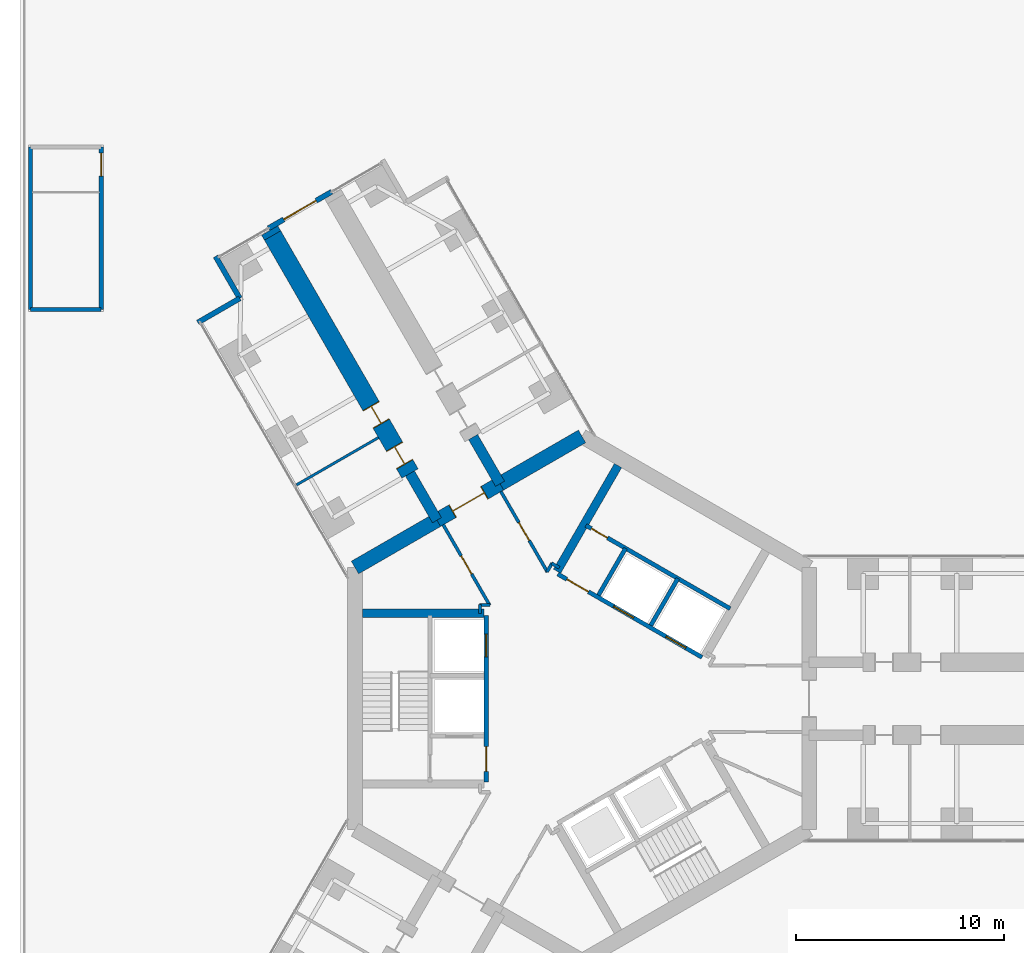
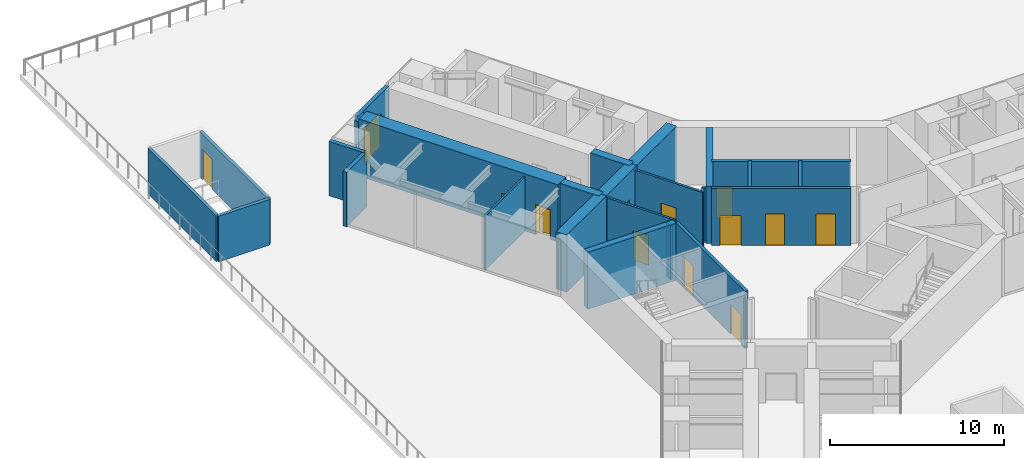
# One storey, part 14 of 23: 27 walls, 13 doors, 13 openings.
"""IFC4 building model written with IfcOpenShell, lengths in metres."""

from ifc_helpers import new_model, si_unit, direction, frame, frame_2d, origin, place, context, subcontext, project, spatial, rectangle, extrude, material, layer, layer_set, type_object, element, fill, save


model = new_model("IFC4")

# Units and contexts
model_context = context("Model", 3, precision=1e-05, world=origin(), true_north=direction((0.0, 1.0)))
body_context = subcontext(model_context, "Body", "Model", "MODEL_VIEW")
ifc_project = project(units=[si_unit("LENGTHUNIT", "METRE"), si_unit("AREAUNIT", "SQUARE_METRE"), si_unit("VOLUMEUNIT", "CUBIC_METRE"), si_unit("PLANEANGLEUNIT", "RADIAN"), si_unit("MASSUNIT", "GRAM", prefix="KILO")], contexts=[model_context])

# Site, building, storey
site_placement = place(None, origin())
site = spatial("IfcSite", under=ifc_project, at=site_placement, CompositionType="ELEMENT")
building_placement = place(site_placement, origin())
building = spatial("IfcBuilding", under=site, at=building_placement, Name="Upepo Twin Towers", CompositionType="ELEMENT")
storey_placement = place(building_placement, frame((0.0, 0.0, 20.5)))
storey = spatial("IfcBuildingStorey", under=building, at=storey_placement, Name="L04", CompositionType="ELEMENT", Elevation=20.5)

# Walls
ifc_material_1 = material(Name="Dense concrete blockwork", Category="masonry")
ifc_layer_1 = layer(ifc_material_1, 0.89990234375)
ifc_layer_set_1 = layer_set([ifc_layer_1], Name="Buttress closer 900, blockwork with fire-stopping to the curtain wall")
wall_type_1 = type_object("IfcWallType", Name="Buttress closer 900, blockwork with fire-stopping to the curtain wall", PredefinedType="PARTITIONING", material=ifc_layer_set_1)
wall_1_placement = place(storey_placement, frame((-14.865478515625, 22.247802734375, 0.0), z_axis=(0.0, 0.0, 1.0), x_axis=(-0.499671230855, 0.86621513555, 0.0)))
element("IfcWall", 1, at=wall_1_placement, inside=storey, type_object=wall_type_1, Name="T1 L04 wing B buttress closer L", PredefinedType="PARTITIONING", context=body_context, shape_type="SweptSolid", body=[
    extrude(rectangle(XDim=0.275146484375, YDim=0.89990234375, at=frame_2d((0.1376953125, 0.0))), origin(), (0.0, 0.0, 1.0), 3.800048828125),
])
ifc_material_2 = material(Name="Concrete C60/75", Category="concrete")
ifc_layer_2 = layer(ifc_material_2, 0.5)
ifc_layer_set_2 = layer_set([ifc_layer_2], Name="Concrete C60/75")
wall_type_2 = type_object("IfcWallType", Name="Buttress wall 500 RC", PredefinedType="SHEAR", material=ifc_layer_set_2)
for number, where, z_axis, x_axis, name in (
    (2, (-6.9697265625, 8.57177734375, 0.0), (0.0, 0.0, 1.0), (-0.499988811324, 0.866031863473, 0.0), "T1 wing B buttress wall L"),
    (3, (-3.938720703125, 10.32177734375, 0.0), (0.0, 0.0, 1.0), (-0.499918158782, 0.866072649678, 0.0), "T1 wing B buttress wall R"),
):
    element("IfcWall", number, at=place(storey_placement, frame(where, z_axis=z_axis, x_axis=x_axis)), inside=storey, type_object=wall_type_2, Name=name, PredefinedType="SHEAR", context=body_context, shape_type="SweptSolid", body=[
        extrude(rectangle(XDim=2.591796875, YDim=0.5, at=frame_2d((1.2958984375, 0.0))), origin(), (0.0, 0.0, 1.0), 4.0),
    ])

# Wall, openings, doors
ifc_material_3 = material(Name="Concrete C60/75", Category="concrete")
ifc_layer_3 = layer(ifc_material_3, 0.89990234375)
ifc_layer_set_3 = layer_set([ifc_layer_3], Name="Concrete C60/75")
wall_type_3 = type_object("IfcWallType", Name="Buttress wall 900 RC", PredefinedType="SHEAR", material=ifc_layer_set_3)
wall_2_placement = place(storey_placement, frame((-8.265625, 10.81640625, 0.0), z_axis=(0.0, 0.0, 1.0), x_axis=(-0.499996231654, 0.866027579429, 0.0)))
wall_2 = element("IfcWall", 4, at=wall_2_placement, inside=storey, type_object=wall_type_3, Name="T1 wing B buttress wall L part 2", PredefinedType="SHEAR", context=body_context, shape_type="SweptSolid", body=[
    extrude(rectangle(XDim=13.19970703125, YDim=0.89990234375, at=frame_2d((6.599853515625, 0.0))), origin(), (0.0, 0.0, 1.0), 4.0),
])
opening_1_placement = place(wall_2_placement, frame((0.5, 0.0, 0.0)))
opening_1 = element("IfcOpeningElement", 5, at=opening_1_placement, cuts=wall_2, Name="Opening D15", PredefinedType="OPENING", context=body_context, shape_type="SweptSolid", body=[
    extrude(rectangle(XDim=1.0, YDim=2.10009765625, at=frame_2d((0.5, 1.050048828125))), frame((0.0, 0.4599609375, 0.0), z_axis=(0.0, -1.0, 0.0), x_axis=(1.0, 0.0, 0.0)), (0.0, 0.0, 1.0), 0.919921875),
])
opening_2_placement = place(wall_2_placement, frame((2.75, 0.0, 0.0)))
opening_2 = element("IfcOpeningElement", 6, at=opening_2_placement, cuts=wall_2, Name="Opening D15", PredefinedType="OPENING", context=body_context, shape_type="SweptSolid", body=[
    extrude(rectangle(XDim=1.0, YDim=2.10009765625, at=frame_2d((0.5, 1.050048828125))), frame((0.0, 0.4599609375, 0.0), z_axis=(0.0, -1.0, 0.0), x_axis=(1.0, 0.0, 0.0)), (0.0, 0.0, 1.0), 0.919921875),
])
ifc_material_4 = material(Name="Timber doorset", Category="wood")
door_type_1 = type_object("IfcDoorType", Name="Glazed door 1000 FD30", OperationType="SINGLE_SWING_LEFT", PredefinedType="DOOR", material=ifc_material_4)
door_1_placement = place(opening_1_placement, origin())
door_1 = element("IfcDoor", 7, at=door_1_placement, inside=storey, type_object=door_type_1, Name="T1 L04 seminar room door", OperationType="SINGLE_SWING_LEFT", OverallHeight=2.10009765625, OverallWidth=1.0, PredefinedType="DOOR", context=body_context, shape_type="SweptSolid", body=[
    extrude(rectangle(XDim=0.92, YDim=2.06009765625, at=frame_2d((0.5, 1.030029296875))), frame((0.0, 0.02490234375, 0.0), z_axis=(0.0, -1.0, 0.0), x_axis=(1.0, 0.0, 0.0)), (0.0, 0.0, 1.0), 0.050048828125),
    extrude(rectangle(XDim=0.04, YDim=2.10009765625, at=frame_2d((0.02001953125, 1.050048828125))), frame((0.0, 0.44970703125, 0.0), z_axis=(0.0, -1.0, 0.0), x_axis=(1.0, 0.0, 0.0)), (0.0, 0.0, 1.0), 0.8994140625),
    extrude(rectangle(XDim=0.04, YDim=2.10009765625, at=frame_2d((0.97998046875, 1.050048828125))), frame((0.0, 0.44970703125, 0.0), z_axis=(0.0, -1.0, 0.0), x_axis=(1.0, 0.0, 0.0)), (0.0, 0.0, 1.0), 0.8994140625),
    extrude(rectangle(XDim=0.92, YDim=0.04, at=frame_2d((0.5, 2.080078125))), frame((0.0, 0.44970703125, 0.0), z_axis=(0.0, -1.0, 0.0), x_axis=(1.0, 0.0, 0.0)), (0.0, 0.0, 1.0), 0.8994140625),
])
fill(opening_1, door_1)
door_2_placement = place(opening_2_placement, origin())
door_2 = element("IfcDoor", 8, at=door_2_placement, inside=storey, type_object=door_type_1, Name="T1 L04 student sky lounge door", OperationType="SINGLE_SWING_LEFT", OverallHeight=2.10009765625, OverallWidth=1.0, PredefinedType="DOOR", context=body_context, shape_type="SweptSolid", body=[
    extrude(rectangle(XDim=0.92, YDim=2.06009765625, at=frame_2d((0.5, 1.030029296875))), frame((0.0, 0.02490234375, 0.0), z_axis=(0.0, -1.0, 0.0), x_axis=(1.0, 0.0, 0.0)), (0.0, 0.0, 1.0), 0.050048828125),
    extrude(rectangle(XDim=0.04, YDim=2.10009765625, at=frame_2d((0.02001953125, 1.050048828125))), frame((0.0, 0.44970703125, 0.0), z_axis=(0.0, -1.0, 0.0), x_axis=(1.0, 0.0, 0.0)), (0.0, 0.0, 1.0), 0.8994140625),
    extrude(rectangle(XDim=0.04, YDim=2.10009765625, at=frame_2d((0.97998046875, 1.050048828125))), frame((0.0, 0.44970703125, 0.0), z_axis=(0.0, -1.0, 0.0), x_axis=(1.0, 0.0, 0.0)), (0.0, 0.0, 1.0), 0.8994140625),
    extrude(rectangle(XDim=0.92, YDim=0.04, at=frame_2d((0.5, 2.080078125))), frame((0.0, 0.44970703125, 0.0), z_axis=(0.0, -1.0, 0.0), x_axis=(1.0, 0.0, 0.0)), (0.0, 0.0, 1.0), 0.8994140625),
])
fill(opening_2, door_2)

# Wall
ifc_material_5 = material(Name="Concrete C60/75", Category="concrete")
ifc_layer_4 = layer(ifc_material_5, 0.699951171875)
ifc_layer_set_4 = layer_set([ifc_layer_4], Name="Concrete C60/75")
wall_type_4 = type_object("IfcWallType", Name="Core wall 700 RC", PredefinedType="SHEAR", material=ifc_layer_set_4)
wall_3_placement = place(storey_placement, frame((0.0, 12.595947265625, 0.0), z_axis=(0.0, 0.0, 1.0), x_axis=(-0.866011268655, -0.500024481964, 0.0)))
element("IfcWall", 9, at=wall_3_placement, inside=storey, type_object=wall_type_4, Name="T1 core wall 120 R", PredefinedType="SHEAR", context=body_context, shape_type="SweptSolid", body=[
    extrude(rectangle(XDim=4.548095703125, YDim=0.699951171875, at=frame_2d((2.27392578125, 0.0))), origin(), (0.0, 0.0, 1.0), 4.0),
])

# Wall, opening, door
wall_4_placement = place(storey_placement, frame((-3.938720703125, 10.32177734375, 0.0), z_axis=(0.0, 0.0, 1.0), x_axis=(-0.866019471182, -0.500010275428, 0.0)))
wall_4 = element("IfcWall", 10, at=wall_4_placement, inside=storey, type_object=wall_type_4, Name="T1 core wall 120", PredefinedType="SHEAR", context=body_context, shape_type="SweptSolid", body=[
    extrude(rectangle(XDim=3.5, YDim=0.699951171875, at=frame_2d((1.75, 0.0))), origin(), (0.0, 0.0, 1.0), 4.0),
])
opening_3_placement = place(wall_4_placement, frame((0.85009765625, 0.0, 0.0)))
opening_3 = element("IfcOpeningElement", 11, at=opening_3_placement, cuts=wall_4, Name="Opening D2", PredefinedType="OPENING", context=body_context, shape_type="SweptSolid", body=[
    extrude(rectangle(XDim=1.800048828125, YDim=2.10009765625, at=frame_2d((0.89990234375, 1.050048828125))), frame((0.0, 0.35986328125, 0.0), z_axis=(0.0, -1.0, 0.0), x_axis=(1.0, 0.0, 0.0)), (0.0, 0.0, 1.0), 0.719970703125),
])
ifc_material_6 = material(Name="Timber doorset", Category="wood")
door_type_2 = type_object("IfcDoorType", Name="Corridor double door 1800 FD60", OperationType="DOUBLE_DOOR_DOUBLE_SWING", PredefinedType="DOOR", material=ifc_material_6)
door_3_placement = place(opening_3_placement, origin())
door_3 = element("IfcDoor", 12, at=door_3_placement, inside=storey, type_object=door_type_2, Name="T1 L04 wing B corridor door", OperationType="DOUBLE_DOOR_DOUBLE_SWING", OverallHeight=2.10009765625, OverallWidth=1.800048828125, PredefinedType="DOOR", context=body_context, shape_type="SweptSolid", body=[
    extrude(rectangle(XDim=1.720048828125, YDim=2.06009765625, at=frame_2d((0.89990234375, 1.030029296875))), frame((0.0, 0.02490234375, 0.0), z_axis=(0.0, -1.0, 0.0), x_axis=(1.0, 0.0, 0.0)), (0.0, 0.0, 1.0), 0.050048828125),
    extrude(rectangle(XDim=0.04, YDim=2.10009765625, at=frame_2d((0.02001953125, 1.050048828125))), frame((0.0, 0.349609375, 0.0), z_axis=(0.0, -1.0, 0.0), x_axis=(1.0, 0.0, 0.0)), (0.0, 0.0, 1.0), 0.699462890625),
    extrude(rectangle(XDim=0.04, YDim=2.10009765625, at=frame_2d((1.780029296875, 1.050048828125))), frame((0.0, 0.349609375, 0.0), z_axis=(0.0, -1.0, 0.0), x_axis=(1.0, 0.0, 0.0)), (0.0, 0.0, 1.0), 0.699462890625),
    extrude(rectangle(XDim=1.720048828125, YDim=0.04, at=frame_2d((0.89990234375, 2.080078125))), frame((0.0, 0.349609375, 0.0), z_axis=(0.0, -1.0, 0.0), x_axis=(1.0, 0.0, 0.0)), (0.0, 0.0, 1.0), 0.699462890625),
])
fill(opening_3, door_3)

# Walls
wall_5_placement = place(storey_placement, frame((-6.9697265625, 8.57177734375, 0.0), z_axis=(0.0, 0.0, 1.0), x_axis=(-0.866034513004, -0.499984222037, 0.0)))
element("IfcWall", 13, at=wall_5_placement, inside=storey, type_object=wall_type_4, Name="T1 core wall 120 L", PredefinedType="SHEAR", context=body_context, shape_type="SweptSolid", body=[
    extrude(rectangle(XDim=4.548095703125, YDim=0.699951171875, at=frame_2d((2.27392578125, 0.0))), origin(), (0.0, 0.0, 1.0), 4.0),
])
ifc_material_7 = material(Name="Laminated glass in an aluminium frame", Category="aluminium")
ifc_layer_5 = layer(ifc_material_7, 0.1201171875)
ifc_layer_set_5 = layer_set([ifc_layer_5], Name="Glazed partition 120, aluminium framed")
wall_type_5 = type_object("IfcWallType", Name="Glazed partition 120, aluminium framed", PredefinedType="PARTITIONING", material=ifc_layer_set_5)
wall_6_placement = place(storey_placement, frame((-9.7802734375, 12.539794921875, 0.0), z_axis=(0.0, 0.0, 1.0), x_axis=(-0.866035472144, -0.499982560684, 0.0)))
element("IfcWall", 14, at=wall_6_placement, inside=storey, type_object=wall_type_5, Name="T1 partition BL at 15.75", PredefinedType="PARTITIONING", context=body_context, shape_type="SweptSolid", body=[
    extrude(rectangle(XDim=4.550048828125, YDim=0.1201171875, at=frame_2d((2.27490234375, 0.0))), origin(), (0.0, 0.0, 1.0), 3.800048828125),
])
ifc_material_8 = material(Name="Blockwork with anodised aluminium cladding", Category="masonry")
ifc_layer_6 = layer(ifc_material_8, 0.25)
ifc_layer_set_6 = layer_set([ifc_layer_6], Name="Notch cladding wall 250, pale metal")
wall_type_6 = type_object("IfcWallType", Name="Notch cladding wall 250, pale metal", PredefinedType="STANDARD", material=ifc_layer_set_6)
for number, where, z_axis, x_axis, name in (
    (15, (-18.456298828125, 18.0673828125, 0.0), (0.0, 0.0, 1.0), (0.865998469481, 0.500046648681, 0.0), "T1 L04 wing B notch wall L1"),
    (16, (-16.44287109375, 19.22998046875, 0.0), (0.0, 0.0, 1.0), (-0.500046648681, 0.865998469481, 0.0), "T1 L04 wing B notch wall L2"),
):
    element("IfcWall", number, at=place(storey_placement, frame(where, z_axis=z_axis, x_axis=x_axis)), inside=storey, type_object=wall_type_6, Name=name, PredefinedType="STANDARD", context=body_context, shape_type="SweptSolid", body=[
        extrude(rectangle(XDim=2.324951171875, YDim=0.25, at=frame_2d((1.16259765625, 0.0))), origin(), (0.0, 0.0, 1.0), 3.800048828125),
    ])

# Wall, opening, door
wall_7_placement = place(storey_placement, frame((-12.034423828125, 24.34423828125, 0.0), z_axis=(0.0, 0.0, 1.0), x_axis=(-0.866019471182, -0.500010275428, 0.0)))
wall_7 = element("IfcWall", 17, at=wall_7_placement, inside=storey, type_object=wall_type_6, Name="T1 L04 wing B nose wall", PredefinedType="STANDARD", context=body_context, shape_type="SweptSolid", body=[
    extrude(rectangle(XDim=3.5, YDim=0.25, at=frame_2d((1.75, 0.0))), origin(), (0.0, 0.0, 1.0), 3.800048828125),
])
opening_4_placement = place(wall_7_placement, frame((0.85009765625, 0.0, 0.0)))
opening_4 = element("IfcOpeningElement", 18, at=opening_4_placement, cuts=wall_7, Name="Opening D5", PredefinedType="OPENING", context=body_context, shape_type="SweptSolid", body=[
    extrude(rectangle(XDim=1.800048828125, YDim=2.39990234375, at=frame_2d((0.89990234375, 1.199951171875))), frame((0.0, 0.135009765625, 0.0), z_axis=(0.0, -1.0, 0.0), x_axis=(1.0, 0.0, 0.0)), (0.0, 0.0, 1.0), 0.27001953125),
])
ifc_material_9 = material(Name="Aluminium glazed doorset", Category="aluminium")
door_type_3 = type_object("IfcDoorType", Name="Terrace door 1800 glazed", OperationType="DOUBLE_DOOR_DOUBLE_SWING", PredefinedType="DOOR", material=ifc_material_9)
door_4_placement = place(opening_4_placement, origin())
door_4 = element("IfcDoor", 19, at=door_4_placement, inside=storey, type_object=door_type_3, Name="T1 L04 wing B terrace door", OperationType="DOUBLE_DOOR_DOUBLE_SWING", OverallHeight=2.39990234375, OverallWidth=1.800048828125, PredefinedType="DOOR", context=body_context, shape_type="SweptSolid", body=[
    extrude(rectangle(XDim=1.800048828125, YDim=2.39990234375, at=frame_2d((0.89990234375, 1.199951171875))), frame((0.0, 0.02490234375, 0.0), z_axis=(0.0, -1.0, 0.0), x_axis=(1.0, 0.0, 0.0)), (0.0, 0.0, 1.0), 0.050048828125),
])
fill(opening_4, door_4)

# Wall
ifc_material_10 = material(Name="Concrete C40/50", Category="concrete")
ifc_layer_7 = layer(ifc_material_10, 0.199951171875)
ifc_layer_set_7 = layer_set([ifc_layer_7], Name="Concrete C40/50")
wall_type_7 = type_object("IfcWallType", Name="Podium stair enclosure 200 RC", PredefinedType="SHEAR", material=ifc_layer_set_7)
wall_8_placement = place(storey_placement, frame((-26.5, 18.699951171875, 0.0), z_axis=(0.0, 0.0, 1.0), x_axis=(1.0, 0.0, 0.0)))
element("IfcWall", 20, at=wall_8_placement, inside=storey, type_object=wall_type_7, Name="PS1 head-house wall 1", PredefinedType="SHEAR", context=body_context, shape_type="SweptSolid", body=[
    extrude(rectangle(XDim=3.39990234375, YDim=0.199951171875, at=frame_2d((1.699951171875, 0.0))), origin(), (0.0, 0.0, 1.0), 3.199951171875),
])

# Wall, opening, door
wall_9_placement = place(storey_placement, frame((-23.10009765625, 18.699951171875, 0.0), z_axis=(0.0, 0.0, 1.0), x_axis=(0.0, 1.0, 0.0)))
wall_9 = element("IfcWall", 21, at=wall_9_placement, inside=storey, type_object=wall_type_7, Name="PS1 head-house wall 2", PredefinedType="SHEAR", context=body_context, shape_type="SweptSolid", body=[
    extrude(rectangle(XDim=7.800048828125, YDim=0.199951171875, at=frame_2d((3.89990234375, 0.0))), origin(), (0.0, 0.0, 1.0), 3.199951171875),
])
opening_5_placement = place(wall_9_placement, frame((6.39990234375, 0.0, 0.0)))
opening_5 = element("IfcOpeningElement", 22, at=opening_5_placement, cuts=wall_9, Name="Opening D3", PredefinedType="OPENING", context=body_context, shape_type="SweptSolid", body=[
    extrude(rectangle(XDim=1.10009765625, YDim=2.10009765625, at=frame_2d((0.550048828125, 1.050048828125))), frame((0.0, 0.10986328125, 0.0), z_axis=(0.0, -1.0, 0.0), x_axis=(1.0, 0.0, 0.0)), (0.0, 0.0, 1.0), 0.219970703125),
])
ifc_material_11 = material(Name="Timber doorset", Category="wood")
door_type_4 = type_object("IfcDoorType", Name="Stair door 1100 FD60", OperationType="SINGLE_SWING_LEFT", PredefinedType="DOOR", material=ifc_material_11)
door_5_placement = place(opening_5_placement, origin())
door_5 = element("IfcDoor", 23, at=door_5_placement, inside=storey, type_object=door_type_4, Name="PS1 head-house door", OperationType="SINGLE_SWING_RIGHT", OverallHeight=2.10009765625, OverallWidth=1.10009765625, PredefinedType="DOOR", context=body_context, shape_type="SweptSolid", body=[
    extrude(rectangle(XDim=1.10009765625, YDim=2.10009765625, at=frame_2d((0.550048828125, 1.050048828125))), frame((0.0, 0.02490234375, 0.0), z_axis=(0.0, -1.0, 0.0), x_axis=(1.0, 0.0, 0.0)), (0.0, 0.0, 1.0), 0.050048828125),
])
fill(opening_5, door_5)

# Wall
wall_10_placement = place(storey_placement, frame((-26.5, 26.5, 0.0), z_axis=(0.0, 0.0, 1.0), x_axis=(0.0, -1.0, 0.0)))
element("IfcWall", 24, at=wall_10_placement, inside=storey, type_object=wall_type_7, Name="PS1 head-house wall 4", PredefinedType="SHEAR", context=body_context, shape_type="SweptSolid", body=[
    extrude(rectangle(XDim=7.800048828125, YDim=0.199951171875, at=frame_2d((3.89990234375, 0.0))), origin(), (0.0, 0.0, 1.0), 3.199951171875),
])

# Wall, openings, doors
ifc_material_12 = material(Name="Concrete C40/50", Category="concrete")
ifc_layer_8 = layer(ifc_material_12, 0.199951171875)
ifc_layer_set_8 = layer_set([ifc_layer_8], Name="Concrete C40/50")
wall_type_8 = type_object("IfcWallType", Name="Shaft wall 200 RC", PredefinedType="SHEAR", material=ifc_layer_set_8)
wall_11_placement = place(storey_placement, frame((5.76416015625, 1.983642578125, 0.0), z_axis=(0.0, 0.0, 1.0), x_axis=(-0.866026010844, 0.49999894854, 0.0)))
wall_11 = element("IfcWall", 25, at=wall_11_placement, inside=storey, type_object=wall_type_8, Name="T1 core W60 front wall", PredefinedType="SHEAR", context=body_context, shape_type="SweptSolid", body=[
    extrude(rectangle(XDim=8.0, YDim=0.199951171875, at=frame_2d((4.0, 0.0))), origin(), (0.0, 0.0, 1.0), 4.0),
])
opening_6_placement = place(wall_11_placement, frame((6.300048828125, 0.0, 0.0)))
opening_6 = element("IfcOpeningElement", 26, at=opening_6_placement, cuts=wall_11, Name="Opening D4", PredefinedType="OPENING", context=body_context, shape_type="SweptSolid", body=[
    extrude(rectangle(XDim=1.199951171875, YDim=2.10009765625, at=frame_2d((0.60009765625, 1.050048828125))), frame((0.0, 0.10986328125, 0.0), z_axis=(0.0, -1.0, 0.0), x_axis=(1.0, 0.0, 0.0)), (0.0, 0.0, 1.0), 0.219970703125),
])
opening_7_placement = place(wall_11_placement, frame((0.89990234375, 0.0, 0.0)))
opening_7 = element("IfcOpeningElement", 27, at=opening_7_placement, cuts=wall_11, Name="Opening LD1", PredefinedType="OPENING", context=body_context, shape_type="SweptSolid", body=[
    extrude(rectangle(XDim=1.10009765625, YDim=2.199951171875, at=frame_2d((0.550048828125, 1.10009765625))), frame((0.0, 0.10986328125, 0.0), z_axis=(0.0, -1.0, 0.0), x_axis=(1.0, 0.0, 0.0)), (0.0, 0.0, 1.0), 0.219970703125),
])
opening_8_placement = place(wall_11_placement, frame((3.800048828125, 0.0, 0.0)))
opening_8 = element("IfcOpeningElement", 28, at=opening_8_placement, cuts=wall_11, Name="Opening LD1", PredefinedType="OPENING", context=body_context, shape_type="SweptSolid", body=[
    extrude(rectangle(XDim=1.10009765625, YDim=2.199951171875, at=frame_2d((0.550048828125, 1.10009765625))), frame((0.0, 0.10986328125, 0.0), z_axis=(0.0, -1.0, 0.0), x_axis=(1.0, 0.0, 0.0)), (0.0, 0.0, 1.0), 0.219970703125),
])
ifc_material_13 = material(Name="Steel doorset", Category="steel")
door_type_5 = type_object("IfcDoorType", Name="Lift landing door 1100", OperationType="DOUBLE_DOOR_SLIDING", PredefinedType="DOOR", material=ifc_material_13)
door_6_placement = place(opening_7_placement, origin())
door_6 = element("IfcDoor", 29, at=door_6_placement, inside=storey, type_object=door_type_5, Name="T1 L04 lift EX1 landing door", OperationType="DOUBLE_DOOR_SLIDING", OverallHeight=2.199951171875, OverallWidth=1.10009765625, PredefinedType="DOOR", context=body_context, shape_type="SweptSolid", body=[
    extrude(rectangle(XDim=1.10009765625, YDim=2.199951171875, at=frame_2d((0.550048828125, 1.10009765625))), frame((0.0, 0.02490234375, 0.0), z_axis=(0.0, -1.0, 0.0), x_axis=(1.0, 0.0, 0.0)), (0.0, 0.0, 1.0), 0.050048828125),
])
fill(opening_7, door_6)
door_7_placement = place(opening_8_placement, origin())
door_7 = element("IfcDoor", 30, at=door_7_placement, inside=storey, type_object=door_type_5, Name="T1 L04 lift EX2 landing door", OperationType="DOUBLE_DOOR_SLIDING", OverallHeight=2.199951171875, OverallWidth=1.10009765625, PredefinedType="DOOR", context=body_context, shape_type="SweptSolid", body=[
    extrude(rectangle(XDim=1.10009765625, YDim=2.199951171875, at=frame_2d((0.550048828125, 1.10009765625))), frame((0.0, 0.02490234375, 0.0), z_axis=(0.0, -1.0, 0.0), x_axis=(1.0, 0.0, 0.0)), (0.0, 0.0, 1.0), 0.050048828125),
])
fill(opening_8, door_7)
ifc_material_14 = material(Name="Timber doorset", Category="wood")
door_type_6 = type_object("IfcDoorType", Name="Lobby door 1200 FD60", OperationType="SINGLE_SWING_LEFT", PredefinedType="DOOR", material=ifc_material_14)
door_8_placement = place(opening_6_placement, origin())
door_8 = element("IfcDoor", 31, at=door_8_placement, inside=storey, type_object=door_type_6, Name="T1 L04 W60 lobby door", OperationType="SINGLE_SWING_RIGHT", OverallHeight=2.10009765625, OverallWidth=1.199951171875, PredefinedType="DOOR", context=body_context, shape_type="SweptSolid", body=[
    extrude(rectangle(XDim=1.199951171875, YDim=2.10009765625, at=frame_2d((0.60009765625, 1.050048828125))), frame((0.0, 0.02490234375, 0.0), z_axis=(0.0, -1.0, 0.0), x_axis=(1.0, 0.0, 0.0)), (0.0, 0.0, 1.0), 0.050048828125),
])
fill(opening_6, door_8)

# Walls
for number, where, z_axis, x_axis, name in (
    (32, (3.302734375, 3.520263671875, 0.0), (0.0, 0.0, 1.0), (0.499936506574, 0.866062058628, 0.0), "T1 core W60 shaft divider"),
    (33, (0.791259765625, 4.97021484375, 0.0), (0.0, 0.0, 1.0), (0.499936506574, 0.866062058628, 0.0), "T1 core W60 lobby wall"),
):
    element("IfcWall", number, at=place(storey_placement, frame(where, z_axis=z_axis, x_axis=x_axis)), inside=storey, type_object=wall_type_8, Name=name, PredefinedType="SHEAR", context=body_context, shape_type="SweptSolid", body=[
        extrude(rectangle(XDim=2.599853515625, YDim=0.199951171875, at=frame_2d((1.2998046875, 0.0))), origin(), (0.0, 0.0, 1.0), 4.0),
    ])

# Wall, opening, door
wall_12_placement = place(storey_placement, frame((7.114013671875, 4.322021484375, 0.0), z_axis=(0.0, 0.0, 1.0), x_axis=(-0.866026010844, 0.49999894854, 0.0)))
wall_12 = element("IfcWall", 34, at=wall_12_placement, inside=storey, type_object=wall_type_8, Name="T1 core W60 stair wall", PredefinedType="SHEAR", context=body_context, shape_type="SweptSolid", body=[
    extrude(rectangle(XDim=8.0, YDim=0.199951171875, at=frame_2d((4.0, 0.0))), origin(), (0.0, 0.0, 1.0), 4.0),
])
opening_9_placement = place(wall_12_placement, frame((6.800048828125, 0.0, 0.0)))
opening_9 = element("IfcOpeningElement", 35, at=opening_9_placement, cuts=wall_12, Name="Opening D9", PredefinedType="OPENING", context=body_context, shape_type="SweptSolid", body=[
    extrude(rectangle(XDim=0.89990234375, YDim=2.10009765625, at=frame_2d((0.449951171875, 1.050048828125))), frame((0.0, 0.10986328125, 0.0), z_axis=(0.0, -1.0, 0.0), x_axis=(1.0, 0.0, 0.0)), (0.0, 0.0, 1.0), 0.219970703125),
])
ifc_material_15 = material(Name="Timber doorset", Category="wood")
door_type_7 = type_object("IfcDoorType", Name="Riser door 900 FD60", OperationType="SINGLE_SWING_LEFT", PredefinedType="DOOR", material=ifc_material_15)
door_9_placement = place(opening_9_placement, origin())
door_9 = element("IfcDoor", 36, at=door_9_placement, inside=storey, type_object=door_type_7, Name="T1 L04 riser door", OperationType="SINGLE_SWING_RIGHT", OverallHeight=2.10009765625, OverallWidth=0.89990234375, PredefinedType="DOOR", context=body_context, shape_type="SweptSolid", body=[
    extrude(rectangle(XDim=0.89990234375, YDim=2.10009765625, at=frame_2d((0.449951171875, 1.050048828125))), frame((0.0, 0.02490234375, 0.0), z_axis=(0.0, -1.0, 0.0), x_axis=(1.0, 0.0, 0.0)), (0.0, 0.0, 1.0), 0.050048828125),
])
fill(opening_9, door_9)

# Wall, openings, doors
wall_13_placement = place(storey_placement, frame((-4.60009765625, 4.0, 0.0), z_axis=(0.0, 0.0, 1.0), x_axis=(0.0, -1.0, 0.0)))
wall_13 = element("IfcWall", 37, at=wall_13_placement, inside=storey, type_object=wall_type_8, Name="T1 core W180 front wall", PredefinedType="SHEAR", context=body_context, shape_type="SweptSolid", body=[
    extrude(rectangle(XDim=8.0, YDim=0.199951171875, at=frame_2d((4.0, 0.0))), origin(), (0.0, 0.0, 1.0), 4.0),
])
opening_10_placement = place(wall_13_placement, frame((6.300048828125, 0.0, 0.0)))
opening_10 = element("IfcOpeningElement", 38, at=opening_10_placement, cuts=wall_13, Name="Opening D4", PredefinedType="OPENING", context=body_context, shape_type="SweptSolid", body=[
    extrude(rectangle(XDim=1.199951171875, YDim=2.10009765625, at=frame_2d((0.60009765625, 1.050048828125))), frame((0.0, 0.10986328125, 0.0), z_axis=(0.0, -1.0, 0.0), x_axis=(1.0, 0.0, 0.0)), (0.0, 0.0, 1.0), 0.219970703125),
])
opening_11_placement = place(wall_13_placement, frame((0.89990234375, 0.0, 0.0)))
opening_11 = element("IfcOpeningElement", 39, at=opening_11_placement, cuts=wall_13, Name="Opening LD1", PredefinedType="OPENING", context=body_context, shape_type="SweptSolid", body=[
    extrude(rectangle(XDim=1.10009765625, YDim=2.199951171875, at=frame_2d((0.550048828125, 1.10009765625))), frame((0.0, 0.10986328125, 0.0), z_axis=(0.0, -1.0, 0.0), x_axis=(1.0, 0.0, 0.0)), (0.0, 0.0, 1.0), 0.219970703125),
])
door_10_placement = place(opening_11_placement, origin())
door_10 = element("IfcDoor", 40, at=door_10_placement, inside=storey, type_object=door_type_5, Name="T1 L04 lift SV1 landing door", OperationType="DOUBLE_DOOR_SLIDING", OverallHeight=2.199951171875, OverallWidth=1.10009765625, PredefinedType="DOOR", context=body_context, shape_type="SweptSolid", body=[
    extrude(rectangle(XDim=1.10009765625, YDim=2.199951171875, at=frame_2d((0.550048828125, 1.10009765625))), frame((0.0, 0.02490234375, 0.0), z_axis=(0.0, -1.0, 0.0), x_axis=(1.0, 0.0, 0.0)), (0.0, 0.0, 1.0), 0.050048828125),
])
fill(opening_11, door_10)
door_11_placement = place(opening_10_placement, origin())
door_11 = element("IfcDoor", 41, at=door_11_placement, inside=storey, type_object=door_type_6, Name="T1 L04 W180 lobby door", OperationType="SINGLE_SWING_RIGHT", OverallHeight=2.10009765625, OverallWidth=1.199951171875, PredefinedType="DOOR", context=body_context, shape_type="SweptSolid", body=[
    extrude(rectangle(XDim=1.199951171875, YDim=2.10009765625, at=frame_2d((0.60009765625, 1.050048828125))), frame((0.0, 0.02490234375, 0.0), z_axis=(0.0, -1.0, 0.0), x_axis=(1.0, 0.0, 0.0)), (0.0, 0.0, 1.0), 0.050048828125),
])
fill(opening_10, door_11)

# Walls
ifc_material_16 = material(Name="Concrete C40/50", Category="concrete")
ifc_layer_9 = layer(ifc_material_16, 0.39990234375)
ifc_layer_set_9 = layer_set([ifc_layer_9], Name="Concrete C40/50")
wall_type_9 = type_object("IfcWallType", Name="Shaft wall 400 RC", PredefinedType="SHEAR", material=ifc_layer_set_9)
for number, where, z_axis, x_axis, name in (
    (42, (-1.20068359375, 6.120361328125, 0.0), (0.0, 0.0, 1.0), (0.500002627198, 0.866023886965, 0.0), "T1 core W60 side wall N"),
    (43, (-4.699951171875, 4.10009765625, 0.0), (0.0, 0.0, 1.0), (-1.0, 0.0, 0.0), "T1 core W180 side wall S"),
):
    element("IfcWall", number, at=place(storey_placement, frame(where, z_axis=z_axis, x_axis=x_axis)), inside=storey, type_object=wall_type_9, Name=name, PredefinedType="SHEAR", context=body_context, shape_type="SweptSolid", body=[
        extrude(rectangle(XDim=5.8583984375, YDim=0.39990234375, at=frame_2d((2.92919921875, 0.0))), origin(), (0.0, 0.0, 1.0), 4.0),
    ])
ifc_material_17 = material(Name="Gypsum board on steel studs", Category="steel")
ifc_layer_10 = layer(ifc_material_17, 0.14990234375)
ifc_layer_set_10 = layer_set([ifc_layer_10], Name="Teaching partition 150 acoustic")
wall_type_10 = type_object("IfcWallType", Name="Teaching partition 150 acoustic", PredefinedType="PARTITIONING", material=ifc_layer_set_10)
wall_14_placement = place(storey_placement, frame((-4.89990234375, 4.090087890625, 0.0), z_axis=(0.0, 0.0, 1.0), x_axis=(0.0, 1.0, 0.0)))
element("IfcWall", 44, at=wall_14_placement, inside=storey, type_object=wall_type_10, Name="T1 core room partition 8", PredefinedType="PARTITIONING", context=body_context, shape_type="SweptSolid", body=[
    extrude(rectangle(XDim=0.429931640625, YDim=0.14990234375, at=frame_2d((0.21484375, 0.0))), origin(), (0.0, 0.0, 1.0), 3.800048828125),
])
wall_15_placement = place(storey_placement, frame((-4.919921875, 4.5, 0.0), z_axis=(0.0, 0.0, 1.0), x_axis=(1.0, 0.0, 0.0)))
element("IfcWall", 45, at=wall_15_placement, inside=storey, type_object=wall_type_10, Name="T1 core room partition 9", PredefinedType="PARTITIONING", context=body_context, shape_type="SweptSolid", body=[
    extrude(rectangle(XDim=0.494384765625, YDim=0.14990234375, at=frame_2d((0.2470703125, 0.0))), origin(), (0.0, 0.0, 1.0), 3.800048828125),
])

# Wall, opening, door
wall_16_placement = place(storey_placement, frame((-4.435546875, 4.482666015625, 0.0), z_axis=(0.0, 0.0, 1.0), x_axis=(-0.500017246033, 0.866015446554, 0.0)))
wall_16 = element("IfcWall", 46, at=wall_16_placement, inside=storey, type_object=wall_type_10, Name="T1 core room partition 10", PredefinedType="PARTITIONING", context=body_context, shape_type="SweptSolid", body=[
    extrude(rectangle(XDim=4.468505859375, YDim=0.14990234375, at=frame_2d((2.234375, 0.0))), origin(), (0.0, 0.0, 1.0), 3.800048828125),
])
opening_12_placement = place(wall_16_placement, frame((1.744384765625, 0.0, 0.0)))
opening_12 = element("IfcOpeningElement", 47, at=opening_12_placement, cuts=wall_16, Name="Opening D1", PredefinedType="OPENING", context=body_context, shape_type="SweptSolid", body=[
    extrude(rectangle(XDim=1.0, YDim=2.10009765625, at=frame_2d((0.5, 1.050048828125))), frame((0.0, 0.0849609375, 0.0), z_axis=(0.0, -1.0, 0.0), x_axis=(1.0, 0.0, 0.0)), (0.0, 0.0, 1.0), 0.169921875),
])
ifc_material_18 = material(Name="Timber doorset", Category="wood")
door_type_8 = type_object("IfcDoorType", Name="Room door 1000 FD30", OperationType="SINGLE_SWING_LEFT", PredefinedType="DOOR", material=ifc_material_18)
door_12_placement = place(opening_12_placement, origin())
door_12 = element("IfcDoor", 48, at=door_12_placement, inside=storey, type_object=door_type_8, Name="T1 L04 core room door K7", OperationType="SINGLE_SWING_RIGHT", OverallHeight=2.10009765625, OverallWidth=1.0, PredefinedType="DOOR", context=body_context, shape_type="SweptSolid", body=[
    extrude(rectangle(XDim=1.0, YDim=2.10009765625, at=frame_2d((0.5, 1.050048828125))), frame((0.0, 0.02490234375, 0.0), z_axis=(0.0, -1.0, 0.0), x_axis=(1.0, 0.0, 0.0)), (0.0, 0.0, 1.0), 0.050048828125),
])
fill(opening_12, door_12)

wall_17_placement = place(storey_placement, frame((-3.8984375, 9.952392578125, 0.0), z_axis=(0.0, 0.0, 1.0), x_axis=(0.499999927604, -0.866025445582, 0.0)))
wall_17 = element("IfcWall", 49, at=wall_17_placement, inside=storey, type_object=wall_type_10, Name="T1 core room partition 11", PredefinedType="PARTITIONING", context=body_context, shape_type="SweptSolid", body=[
    extrude(rectangle(XDim=4.46826171875, YDim=0.14990234375, at=frame_2d((2.234130859375, 0.0))), origin(), (0.0, 0.0, 1.0), 3.800048828125),
])
opening_13_placement = place(wall_17_placement, frame((1.72412109375, 0.0, 0.0)))
opening_13 = element("IfcOpeningElement", 50, at=opening_13_placement, cuts=wall_17, Name="Opening D1", PredefinedType="OPENING", context=body_context, shape_type="SweptSolid", body=[
    extrude(rectangle(XDim=1.0, YDim=2.10009765625, at=frame_2d((0.5, 1.050048828125))), frame((0.0, 0.0849609375, 0.0), z_axis=(0.0, -1.0, 0.0), x_axis=(1.0, 0.0, 0.0)), (0.0, 0.0, 1.0), 0.169921875),
])
door_13_placement = place(opening_13_placement, origin())
door_13 = element("IfcDoor", 51, at=door_13_placement, inside=storey, type_object=door_type_8, Name="T1 L04 core room door K6", OperationType="SINGLE_SWING_LEFT", OverallHeight=2.10009765625, OverallWidth=1.0, PredefinedType="DOOR", context=body_context, shape_type="SweptSolid", body=[
    extrude(rectangle(XDim=1.0, YDim=2.10009765625, at=frame_2d((0.5, 1.050048828125))), frame((0.0, 0.02490234375, 0.0), z_axis=(0.0, -1.0, 0.0), x_axis=(1.0, 0.0, 0.0)), (0.0, 0.0, 1.0), 0.050048828125),
])
fill(opening_13, door_13)

# Walls
wall_18_placement = place(storey_placement, frame((-1.684326171875, 6.082763671875, 0.0), z_axis=(0.0, 0.0, 1.0), x_axis=(0.50033519877, 0.865831790172, 0.0)))
element("IfcWall", 52, at=wall_18_placement, inside=storey, type_object=wall_type_10, Name="T1 core room partition 12", PredefinedType="PARTITIONING", context=body_context, shape_type="SweptSolid", body=[
    extrude(rectangle(XDim=0.494384765625, YDim=0.14990234375, at=frame_2d((0.2470703125, 0.0))), origin(), (0.0, 0.0, 1.0), 3.800048828125),
])
wall_19_placement = place(storey_placement, frame((-1.46435546875, 6.50341796875, 0.0), z_axis=(0.0, 0.0, 1.0), x_axis=(0.866138304741, -0.499804398801, 0.0)))
element("IfcWall", 53, at=wall_19_placement, inside=storey, type_object=wall_type_10, Name="T1 core room partition 13", PredefinedType="PARTITIONING", context=body_context, shape_type="SweptSolid", body=[
    extrude(rectangle(XDim=0.429931640625, YDim=0.14990234375, at=frame_2d((0.21484375, 0.0))), origin(), (0.0, 0.0, 1.0), 3.800048828125),
])

save(model, "model.ifc")
